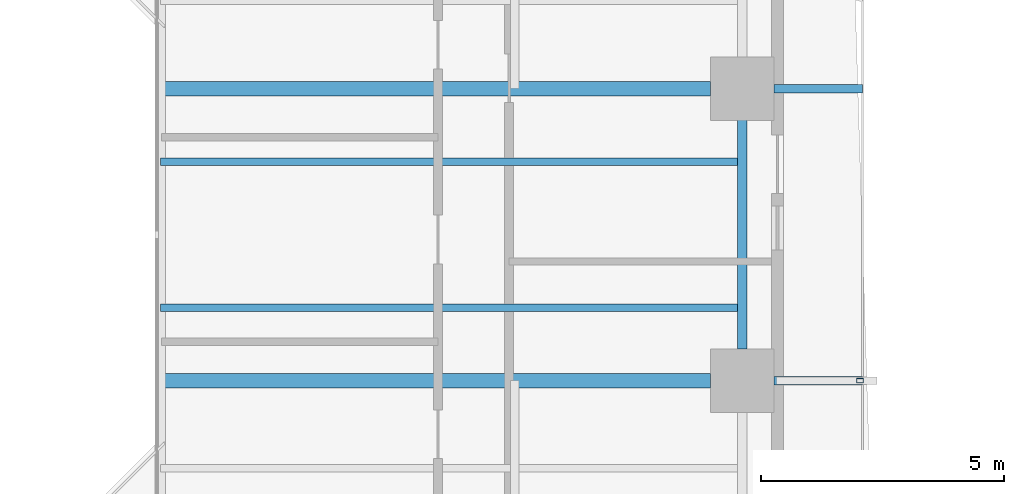
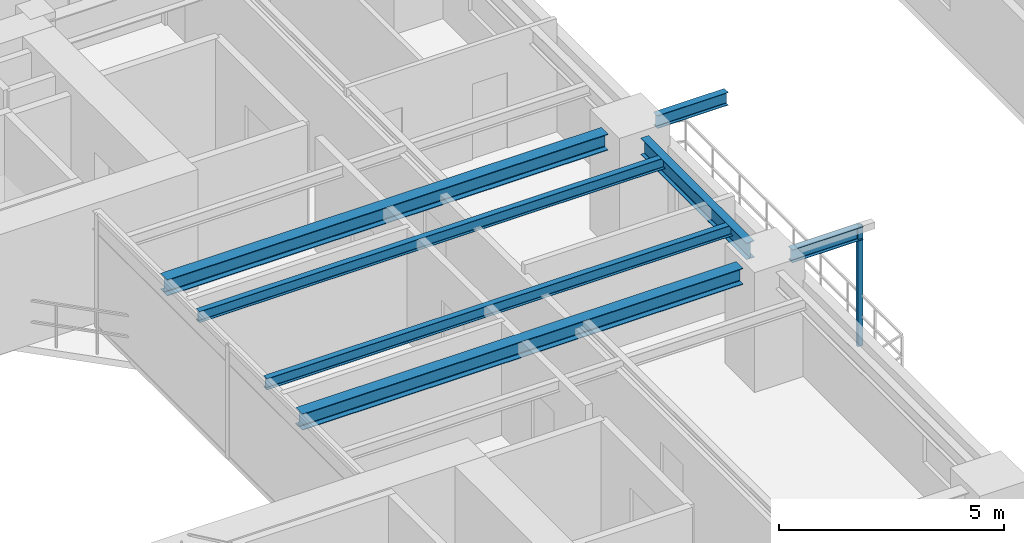
# One storey, part 7 of 23: 7 beams, 1 member.
"""IFC4 building model written with IfcOpenShell, lengths in metres."""

import ifcopenshell
import ifcopenshell.guid

model = None  # the IFC model being written
_history = None  # IfcOwnerHistory: only IFC2X3 demands one
_inside = {}  # id of a spatial element -> (the spatial element, [elements in it])
_under = {}  # id of a project, library or spatial element -> (it, [spatial elements below it])
_declared = {}  # id of a project -> (the project, [libraries it declares])
_typed = {}  # id of a type object -> (the type object, [elements of that type])
_made_of = {}  # id of a material, layer set ... -> (it, [elements and type objects made of it])


def new_model(schema):
    """Start an empty IFC model of exactly this schema.

    Asked for "IFC4X3", IfcOpenShell would pick the latest addendum, in which some entities
    have other attributes; the version numbers below select the first issue.
    IFC2X3 requires an IfcOwnerHistory on every rooted entity: one is made here for all.
    """
    global model, _history
    if schema == "IFC4X3":
        model = ifcopenshell.file(schema_version=(4, 3, 0, 0))
    else:
        model = ifcopenshell.file(schema=schema)
    _inside.clear()
    _under.clear()
    _declared.clear()
    _typed.clear()
    _made_of.clear()
    _history = None
    if model.schema == "IFC2X3":
        org = make("IfcOrganization", Name="unknown")
        user = make(
            "IfcPersonAndOrganization",
            ThePerson=make("IfcPerson", FamilyName="unknown"),
            TheOrganization=org,
        )
        app = make(
            "IfcApplication",
            ApplicationDeveloper=org,
            Version="unknown",
            ApplicationFullName="unknown",
            ApplicationIdentifier="unknown",
        )
        _history = make(
            "IfcOwnerHistory",
            OwningUser=user,
            OwningApplication=app,
            ChangeAction="ADDED",
            CreationDate=0,
        )
    return model


def make(cls, **values):
    """One entity of the class cls with the attributes given. An attribute that is None is left unset."""
    return model.create_entity(
        cls, **{name: value for name, value in values.items() if value is not None}
    )


def rooted(cls, **values):
    """An entity with a GlobalId (a new one), such as an element, a storey or a relation."""
    return make(cls, GlobalId=ifcopenshell.guid.new(), OwnerHistory=_history, **values)


def si_unit(unit_type, name, prefix=None):
    """IfcSIUnit, for example si_unit("LENGTHUNIT", "METRE", prefix="MILLI")."""
    return make("IfcSIUnit", UnitType=unit_type, Prefix=prefix, Name=name)


def assignment(units):
    """IfcUnitAssignment: the units of a project."""
    return None if units is None else make("IfcUnitAssignment", Units=units)


def point(xyz):
    """IfcCartesianPoint."""
    return None if xyz is None else make("IfcCartesianPoint", Coordinates=xyz)


def direction(xyz):
    """IfcDirection."""
    return None if xyz is None else make("IfcDirection", DirectionRatios=xyz)


def frame(location, z_axis=None, x_axis=None):
    """IfcAxis2Placement3D, a coordinate frame: its origin and axes. An axis left out is left unset."""
    return make(
        "IfcAxis2Placement3D",
        Location=point(location),
        Axis=direction(z_axis),
        RefDirection=direction(x_axis),
    )


def frame_2d(location, x_axis=None):
    """IfcAxis2Placement2D, a coordinate frame in the plane: its origin and x axis."""
    return make(
        "IfcAxis2Placement2D", Location=point(location), RefDirection=direction(x_axis)
    )


def origin():
    """The frame at (0, 0, 0) with its axes left unset."""
    return frame((0.0, 0.0, 0.0))


def origin_2d():
    """The frame at (0, 0) in the plane with its x axis left unset."""
    return frame_2d((0.0, 0.0))


def place(relative_to, where):
    """IfcLocalPlacement: puts the frame where relative to a parent placement (None: the world)."""
    return make(
        "IfcLocalPlacement", PlacementRelTo=relative_to, RelativePlacement=where
    )


def context(
    kind, dimensions, precision=None, world=None, true_north=None, identifier=None
):
    """IfcGeometricRepresentationContext, for example the 3D "Model" context."""
    return make(
        "IfcGeometricRepresentationContext",
        ContextIdentifier=identifier,
        ContextType=kind,
        CoordinateSpaceDimension=dimensions,
        Precision=precision,
        WorldCoordinateSystem=world,
        TrueNorth=true_north,
    )


def subcontext(parent, identifier, kind, view, scale=None):
    """IfcGeometricRepresentationSubContext, for example "Body" below "Model"."""
    return make(
        "IfcGeometricRepresentationSubContext",
        ContextIdentifier=identifier,
        ContextType=kind,
        ParentContext=parent,
        TargetScale=scale,
        TargetView=view,
    )


def project(units=None, contexts=None):
    """IfcProject with its units and contexts."""
    return rooted(
        "IfcProject",
        Name="project",
        RepresentationContexts=contexts,
        UnitsInContext=assignment(units),
    )


def spatial(cls, under=None, at=None, **own):
    """A site, building, storey or space (cls), placed at a placement, below another one or the project."""
    s = rooted(cls, ObjectPlacement=at, **own)
    if under is not None:
        _under.setdefault(under.id(), (under, []))[1].append(s)
    return s


def profile(cls, at=None, kind="AREA", **sizes):
    """A parametric profile (cls). Its sizes go by their IFC names, for example OverallWidth=200.0."""
    return make(cls, ProfileType=kind, Position=at, **sizes)


def hollow_rectangle(**sizes):
    """IfcRectangleHollowProfileDef."""
    return profile("IfcRectangleHollowProfileDef", **sizes)


def i_section(**sizes):
    """IfcIShapeProfileDef."""
    return profile("IfcIShapeProfileDef", **sizes)


def extrude(swept, where, along, depth):
    """IfcExtrudedAreaSolid: the profile swept, set in the frame where, extruded along a direction by depth."""
    return make(
        "IfcExtrudedAreaSolid",
        SweptArea=swept,
        Position=where,
        ExtrudedDirection=direction(along),
        Depth=depth,
    )


def shape(context_of_items, identifier, shape_type, items):
    """IfcShapeRepresentation: the items that make up one representation, for example the "Body"."""
    return make(
        "IfcShapeRepresentation",
        ContextOfItems=context_of_items,
        RepresentationIdentifier=identifier,
        RepresentationType=shape_type,
        Items=items,
    )


def source(mapping_origin, context_of_items, identifier, shape_type, items):
    """IfcRepresentationMap: a shape defined once, which mapped items show again and again."""
    return make(
        "IfcRepresentationMap",
        MappingOrigin=mapping_origin,
        MappedRepresentation=shape(context_of_items, identifier, shape_type, items),
    )


def transform(
    local_origin,
    x_axis=None,
    y_axis=None,
    z_axis=None,
    scale=None,
    scale2=None,
    scale3=None,
    uniform=True,
):
    """IfcCartesianTransformationOperator3D, or its non-uniform kind. x_axis, y_axis, z_axis: its Axis1, 2, 3."""
    if uniform:
        return make(
            "IfcCartesianTransformationOperator3D",
            Axis1=direction(x_axis),
            Axis2=direction(y_axis),
            LocalOrigin=point(local_origin),
            Scale=scale,
            Axis3=direction(z_axis),
        )
    return make(
        "IfcCartesianTransformationOperator3DnonUniform",
        Axis1=direction(x_axis),
        Axis2=direction(y_axis),
        LocalOrigin=point(local_origin),
        Scale=scale,
        Axis3=direction(z_axis),
        Scale2=scale2,
        Scale3=scale3,
    )


def mapped(mapping_source, mapping_target):
    """IfcMappedItem: shows the shape of a source again, moved by a transform."""
    return make(
        "IfcMappedItem", MappingSource=mapping_source, MappingTarget=mapping_target
    )


def material(Name=None, Category=None):
    """IfcMaterial."""
    return make("IfcMaterial", Name=Name, Category=Category)


def material_profile(
    of_material, cross_section, Name=None, Category=None, Priority=None
):
    """IfcMaterialProfile: a cross section and its material."""
    return make(
        "IfcMaterialProfile",
        Name=Name,
        Material=of_material,
        Profile=cross_section,
        Priority=Priority,
        Category=Category,
    )


def profile_set(profiles, Name=None, composite=None):
    """IfcMaterialProfileSet."""
    return make(
        "IfcMaterialProfileSet",
        Name=Name,
        MaterialProfiles=profiles,
        CompositeProfile=composite,
    )


def made_of(thing, what):
    """Note that an element or type object is made of a material, layer set ...; save() writes the relation."""
    if what is not None:
        _made_of.setdefault(what.id(), (what, []))[1].append(thing)
    return thing


def type_object(cls, material=None, **own):
    """A type object (cls), such as IfcWallType, which elements share."""
    return made_of(rooted(cls, **own), material)


def element(
    cls,
    number,
    at=None,
    inside=None,
    cuts=None,
    type_object=None,
    material=None,
    context=None,
    identifier="Body",
    shape_type=None,
    held_by="IfcProductDefinitionShape",
    body=None,
    shapes=None,
    **own,
):
    """One element of the class cls, such as IfcWall. Its Tag is "e" and its number.

    at: its placement. inside: the storey or other place that contains it. cuts: it is an
    opening in that element (IfcRelVoidsElement). A single representation is given by context,
    identifier, shape_type and body (its items); several are given by shapes. held_by: the class
    of the entity that holds the representations. save() writes the other relations.
    """
    e = rooted(cls, Tag="e%d" % number, ObjectPlacement=at, **own)
    if body is not None:
        shapes = [shape(context, identifier, shape_type, body)]
    if shapes is not None:
        e.Representation = make(held_by, Representations=shapes)
    if inside is not None:
        _inside.setdefault(inside.id(), (inside, []))[1].append(e)
    if cuts is not None:
        rooted(
            "IfcRelVoidsElement", RelatingBuildingElement=cuts, RelatedOpeningElement=e
        )
    if type_object is not None:
        _typed.setdefault(type_object.id(), (type_object, []))[1].append(e)
    return made_of(e, material)


def aggregate(whole, parts):
    """IfcRelAggregates: a whole, such as a stair, and the parts it consists of."""
    return rooted("IfcRelAggregates", RelatingObject=whole, RelatedObjects=parts)


def save(model, path):
    """Write the relations noted so far, then the file.

    IfcRelAggregates (storeys below a building ...), IfcRelContainedInSpatialStructure (elements
    in a storey), IfcRelDefinesByType, IfcRelAssociatesMaterial and IfcRelDeclares: one each for
    every whole, place, type object, material and project.
    """
    for whole, parts in _under.values():
        aggregate(whole, parts)
    for where, things in _inside.values():
        rooted(
            "IfcRelContainedInSpatialStructure",
            RelatedElements=things,
            RelatingStructure=where,
        )
    for kind, things in _typed.values():
        rooted("IfcRelDefinesByType", RelatedObjects=things, RelatingType=kind)
    for what, things in _made_of.values():
        rooted("IfcRelAssociatesMaterial", RelatedObjects=things, RelatingMaterial=what)
    for by, libraries in _declared.values():
        rooted("IfcRelDeclares", RelatingContext=by, RelatedDefinitions=libraries)
    model.write(path)


model = new_model("IFC4")

# Units and contexts
model_context = context("Model", 3, precision=1e-05, world=origin(), true_north=direction((0.0, 1.0)))
body_context = subcontext(model_context, "Body", "Model", "MODEL_VIEW")
ifc_project = project(units=[si_unit("LENGTHUNIT", "METRE"), si_unit("AREAUNIT", "SQUARE_METRE"), si_unit("VOLUMEUNIT", "CUBIC_METRE"), si_unit("PLANEANGLEUNIT", "RADIAN"), si_unit("MASSUNIT", "GRAM", prefix="KILO"), si_unit("THERMODYNAMICTEMPERATUREUNIT", "KELVIN"), si_unit("POWERUNIT", "WATT")], contexts=[model_context])

# Site, building, storey
site_placement = place(None, origin())
site = spatial("IfcSite", under=ifc_project, at=site_placement, CompositionType="ELEMENT")
building_placement = place(site_placement, origin())
building = spatial("IfcBuilding", under=site, at=building_placement, Name="Qiaomeng Ring Towers", CompositionType="ELEMENT")
storey_placement = place(building_placement, frame((0.0, 0.0, 60.0)))
storey = spatial("IfcBuildingStorey", under=building, at=storey_placement, Name="L16", CompositionType="ELEMENT", Elevation=60.0)

# Beams
ifc_material_1 = material(Name="Steel Q355B", Category="steel")
ifc_material_profile_1 = material_profile(ifc_material_1, i_section(OverallWidth=0.199951171875, OverallDepth=0.449951171875, WebThickness=0.009033203125, FlangeThickness=0.013916015625, FilletRadius=0.01806640625, at=origin_2d()), Name="HN 450x200x9x14")
ifc_profile_set_1 = profile_set([ifc_material_profile_1], Name="Steel Q355B")
beam_type_1 = type_object("IfcBeamType", Name="STR-BM-HN450", PredefinedType="SPANDREL", material=ifc_profile_set_1)
shared_shape_1 = source(origin(), body_context, "Body", "SweptSolid", [
    extrude(i_section(OverallWidth=0.199951171875, OverallDepth=0.449951171875, WebThickness=0.009033203125, FlangeThickness=0.013916015625, FilletRadius=0.01806640625, at=origin_2d()), origin(), (0.0, 0.0, 1.0), 4.7021484375),
])
beam_placement = place(storey_placement, frame((37.14990234375, 20.64892578125, 2.844970703125), z_axis=(0.0, 1.0, 0.0), x_axis=(-1.0, 0.0, 0.0)))
element("IfcBeam", 1, at=beam_placement, inside=storey, type_object=beam_type_1, Name="L16 beam STR-SP-L16-T1-E2-E3", PredefinedType="SPANDREL", context=body_context, shape_type="MappedRepresentation", body=[
    mapped(shared_shape_1, transform((0.0, 0.0, 0.0), x_axis=(1.0, 0.0, 0.0), y_axis=(0.0, 1.0, 0.0), z_axis=(0.0, 0.0, 1.0), scale=1.0)),
])
ifc_material_profile_2 = material_profile(ifc_material_1, i_section(OverallWidth=0.300048828125, OverallDepth=0.43994140625, WebThickness=0.010986328125, FlangeThickness=0.01806640625, FilletRadius=0.02392578125, at=origin_2d()), Name="HM 440x300x11x18")
ifc_profile_set_2 = profile_set([ifc_material_profile_2], Name="Steel Q355B")
beam_type_2 = type_object("IfcBeamType", Name="STR-BM-HM440", PredefinedType="BEAM", material=ifc_profile_set_2)
shared_shape_2 = source(origin(), body_context, "Body", "SweptSolid", [
    extrude(i_section(OverallWidth=0.300048828125, OverallDepth=0.43994140625, WebThickness=0.010986328125, FlangeThickness=0.01806640625, FilletRadius=0.02392578125, at=origin_2d()), origin(), (0.0, 0.0, 1.0), 11.301025390625),
])
for number, where, z_axis, x_axis, name in (
    (2, (25.199951171875, 20.0, 2.85009765625), (1.0, 0.0, 0.0), (0.0, 1.0, 0.0), "L16 beam STR-BM-L16-T1-RAD-E2"),
    (3, (25.199951171875, 26.0, 2.85009765625), (1.0, 0.0, 0.0), (0.0, 1.0, 0.0), "L16 beam STR-BM-L16-T1-RAD-E3"),
):
    element("IfcBeam", number, at=place(storey_placement, frame(where, z_axis=z_axis, x_axis=x_axis)), inside=storey, type_object=beam_type_2, Name=name, PredefinedType="BEAM", context=body_context, shape_type="MappedRepresentation", body=[
        mapped(shared_shape_2, transform((0.0, 0.0, 0.0), x_axis=(1.0, 0.0, 0.0), y_axis=(0.0, 1.0, 0.0), z_axis=(0.0, 0.0, 1.0), scale=1.0)),
    ])
ifc_material_profile_3 = material_profile(ifc_material_1, i_section(OverallWidth=0.175048828125, OverallDepth=0.35009765625, WebThickness=0.007080078125, FlangeThickness=0.010986328125, FilletRadius=0.013916015625, at=origin_2d()), Name="HN 350x175x7x11")
ifc_profile_set_3 = profile_set([ifc_material_profile_3], Name="Steel Q355B")
beam_type_3 = type_object("IfcBeamType", Name="STR-BM-HN350", PredefinedType="JOIST", material=ifc_profile_set_3)
shared_shape_3 = source(origin(), body_context, "Body", "SweptSolid", [
    extrude(i_section(OverallWidth=0.175048828125, OverallDepth=0.35009765625, WebThickness=0.007080078125, FlangeThickness=0.010986328125, FilletRadius=0.013916015625, at=origin_2d()), origin(), (0.0, 0.0, 1.0), 1.821044921875),
])
for number, where, z_axis, x_axis, name in (
    (4, (37.799072265625, 20.0, 2.89501953125), (1.0, 0.0, 0.0), (0.0, 1.0, 0.0), "L16 beam STR-BALBM-L16-E2"),
    (5, (37.799072265625, 26.0, 2.89501953125), (1.0, 0.0, 0.0), (0.0, 1.0, 0.0), "L16 beam STR-BALBM-L16-E3"),
):
    element("IfcBeam", number, at=place(storey_placement, frame(where, z_axis=z_axis, x_axis=x_axis)), inside=storey, type_object=beam_type_3, Name=name, PredefinedType="JOIST", context=body_context, shape_type="MappedRepresentation", body=[
        mapped(shared_shape_3, transform((0.0, 0.0, 0.0), x_axis=(1.0, 0.0, 0.0), y_axis=(0.0, 1.0, 0.0), z_axis=(0.0, 0.0, 1.0), scale=1.0)),
    ])
ifc_material_profile_4 = material_profile(ifc_material_1, i_section(OverallWidth=0.14990234375, OverallDepth=0.300048828125, WebThickness=0.006591796875, FlangeThickness=0.009033203125, FilletRadius=0.012939453125, at=origin_2d()), Name="HN 300x150x6.5x9")
ifc_profile_set_4 = profile_set([ifc_material_profile_4], Name="Steel Q355B")
beam_type_4 = type_object("IfcBeamType", Name="STR-BM-HN300", PredefinedType="JOIST", material=ifc_profile_set_4)
shared_shape_4 = source(origin(), body_context, "Body", "SweptSolid", [
    extrude(i_section(OverallWidth=0.14990234375, OverallDepth=0.300048828125, WebThickness=0.006591796875, FlangeThickness=0.009033203125, FilletRadius=0.012939453125, at=origin_2d()), origin(), (0.0, 0.0, 1.0), 11.949951171875),
])
for number, where, z_axis, x_axis, name in (
    (6, (25.199951171875, 21.5, 2.919921875), (1.0, 0.0, 0.0), (0.0, 1.0, 0.0), "L16 beam STR-JST-L16-T1E-2"),
    (7, (25.199951171875, 24.5, 2.919921875), (1.0, 0.0, 0.0), (0.0, 1.0, 0.0), "L16 beam STR-JST-L16-T1E-3"),
):
    element("IfcBeam", number, at=place(storey_placement, frame(where, z_axis=z_axis, x_axis=x_axis)), inside=storey, type_object=beam_type_4, Name=name, PredefinedType="JOIST", context=body_context, shape_type="MappedRepresentation", body=[
        mapped(shared_shape_4, transform((0.0, 0.0, 0.0), x_axis=(1.0, 0.0, 0.0), y_axis=(0.0, 1.0, 0.0), z_axis=(0.0, 0.0, 1.0), scale=1.0)),
    ])

# Member
ifc_material_2 = material(Name="Stainless steel 316", Category="steel")
ifc_material_profile_5 = material_profile(ifc_material_2, hollow_rectangle(XDim=0.090087890625, YDim=0.139892578125, WallThickness=0.0048828125, at=origin_2d()), Name="SS TRELLIS 90x140")
ifc_profile_set_5 = profile_set([ifc_material_profile_5], Name="Stainless steel 316")
member_type = type_object("IfcMemberType", Name="ARC-TR-POST1", PredefinedType="STUD", material=ifc_profile_set_5)
shared_shape_5 = source(origin(), body_context, "Body", "SweptSolid", [
    extrude(hollow_rectangle(XDim=0.090087890625, YDim=0.139892578125, WallThickness=0.0048828125, at=origin_2d()), origin(), (0.0, 0.0, 1.0), 3.25),
])
member_placement = place(storey_placement, frame((39.570068359375, 20.0, -0.179931640625), z_axis=(0.0, 0.0, 1.0), x_axis=(0.0, 1.0, 0.0)))
element("IfcMember", 8, at=member_placement, inside=storey, type_object=member_type, Name="L16 Outer Ventilated Trellis Post E", PredefinedType="STUD", context=body_context, shape_type="MappedRepresentation", body=[
    mapped(shared_shape_5, transform((0.0, 0.0, 0.0), x_axis=(1.0, 0.0, 0.0), y_axis=(0.0, 1.0, 0.0), z_axis=(0.0, 0.0, 1.0), scale=1.0)),
])

save(model, "model.ifc")
